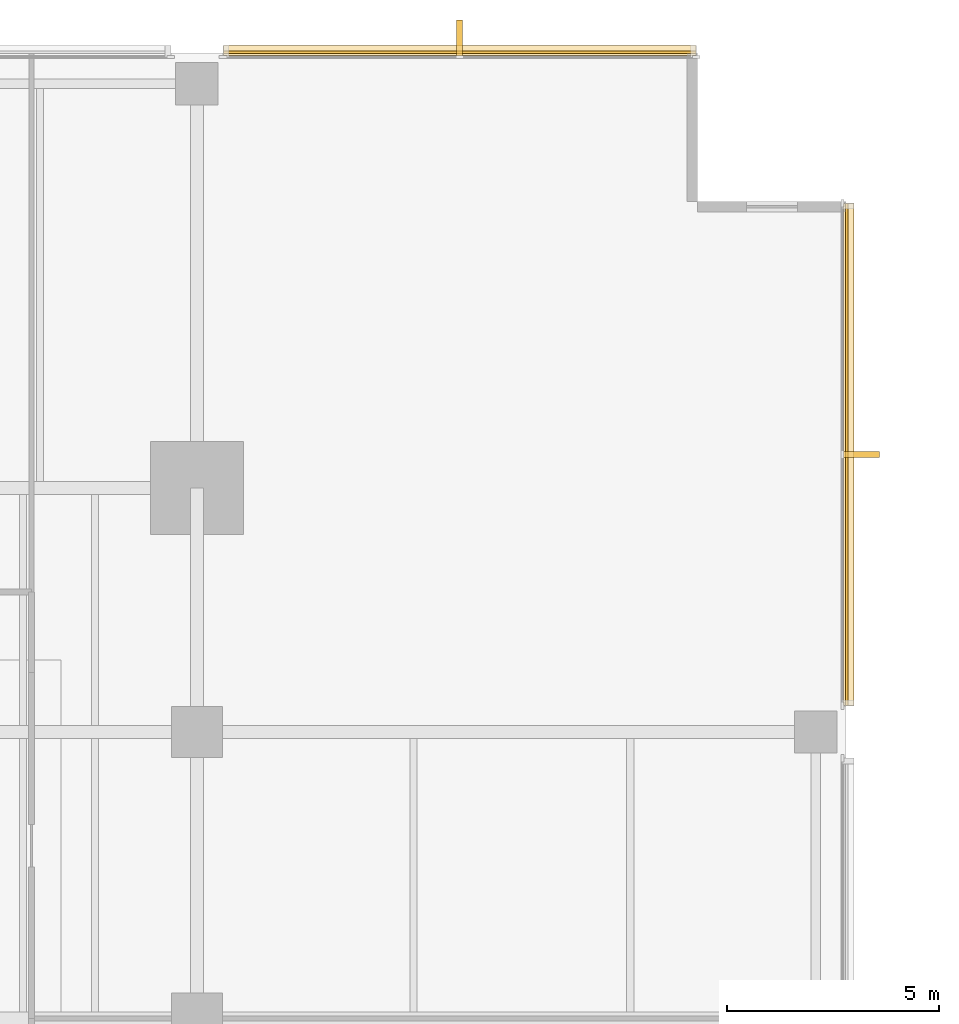
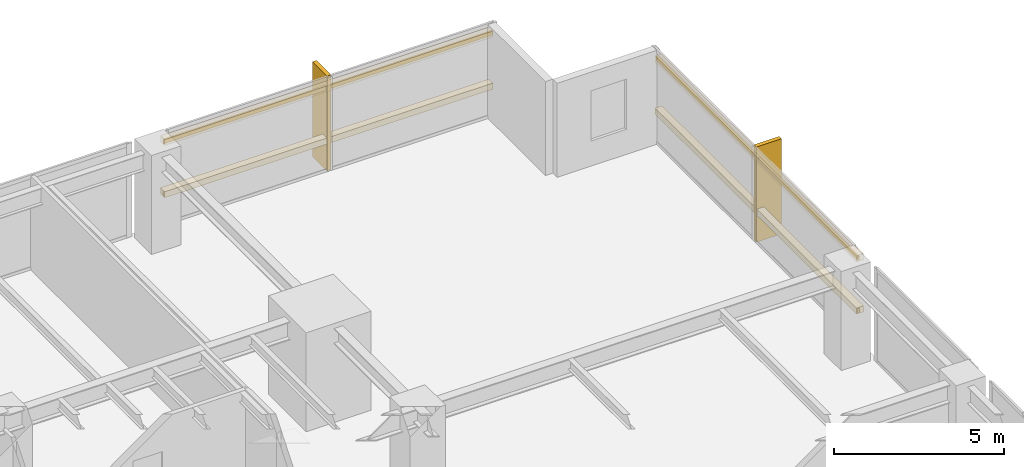
# One storey, part 15 of 15: 6 coverings, 4 shading devices.
"""IFC4 building model written with IfcOpenShell, lengths in metres."""

from ifc_helpers import new_model, si_unit, direction, frame, origin, origin_2d, place, context, subcontext, project, spatial, polyline, rectangle, outline, extrude, material, layer, layer_set, material_profile, profile_set, type_object, element, save


model = new_model("IFC4")

# Units and contexts
model_context = context("Model", 3, precision=1e-05, world=origin(), true_north=direction((0.0, 1.0)))
body_context = subcontext(model_context, "Body", "Model", "MODEL_VIEW")
ifc_project = project(units=[si_unit("LENGTHUNIT", "METRE"), si_unit("AREAUNIT", "SQUARE_METRE"), si_unit("VOLUMEUNIT", "CUBIC_METRE"), si_unit("PLANEANGLEUNIT", "RADIAN"), si_unit("MASSUNIT", "GRAM", prefix="KILO")], contexts=[model_context])

# Site, building, storey
site_placement = place(None, origin())
site = spatial("IfcSite", under=ifc_project, at=site_placement, CompositionType="ELEMENT")
building_placement = place(site_placement, origin())
building = spatial("IfcBuilding", under=site, at=building_placement, Name="Kinhvarn Gate Tower", CompositionType="ELEMENT")
storey_placement = place(building_placement, frame((0.0, 0.0, 36.25)))
storey = spatial("IfcBuildingStorey", under=building, at=storey_placement, Name="L08", CompositionType="ELEMENT", Elevation=36.25)

# Coverings
ifc_material = material(Name="Fired architectural terracotta", Category="masonry")
ifc_layer_1 = layer(ifc_material, 0.239990234375)
ifc_layer_set_1 = layer_set([ifc_layer_1], Name="Fired architectural terracotta")
covering_type_1 = type_object("IfcCoveringType", Name="COV-BAG-220", PredefinedType="CLADDING", material=ifc_layer_set_1)
for number, where, name in (
    (1, (0.0, 0.0, 0.93994140625), "Terracotta Horizontal Sunscreen Band TBG-220 (L08)"),
    (2, (0.0, 0.0, 2.81005859375), "Terracotta Horizontal Sunscreen Band TBG-220 (L08)"),
):
    element("IfcCovering", number, at=place(storey_placement, frame(where)), inside=storey, type_object=covering_type_1, Name=name, PredefinedType="CLADDING", context=body_context, shape_type="SweptSolid", body=[
        extrude(outline(polyline([(49.9599609375, 47.93994140625), (38.820068359375, 47.93994140625), (38.820068359375, 48.179931640625), (49.9599609375, 48.179931640625), (49.9599609375, 47.93994140625)])), origin(), (0.0, 0.0, 1.0), 0.219970703125),
    ])
for number, where, name in (
    (3, (0.0, 0.0, 0.93994140625), "Terracotta Horizontal Sunscreen Band TBG-220 (L08)"),
    (4, (0.0, 0.0, 2.81005859375), "Terracotta Horizontal Sunscreen Band TBG-220 (L08)"),
):
    element("IfcCovering", number, at=place(storey_placement, frame(where)), inside=storey, type_object=covering_type_1, Name=name, PredefinedType="CLADDING", context=body_context, shape_type="SweptSolid", body=[
        extrude(outline(polyline([(53.43994140625, 32.6201171875), (53.43994140625, 44.4599609375), (53.679931640625, 44.4599609375), (53.679931640625, 32.6201171875), (53.43994140625, 32.6201171875)])), origin(), (0.0, 0.0, 1.0), 0.219970703125),
    ])
ifc_layer_2 = layer(ifc_material, 0.139892578125)
ifc_layer_set_2 = layer_set([ifc_layer_2], Name="Fired architectural terracotta")
covering_type_2 = type_object("IfcCoveringType", Name="COV-FIN-850", PredefinedType="CLADDING", material=ifc_layer_set_2)
covering_1_placement = place(storey_placement, frame((0.0, 0.0, -0.02001953125)))
element("IfcCovering", 5, at=covering_1_placement, inside=storey, type_object=covering_type_2, Name="Vertical Terracotta Expressive Fin TFN-850 (L08)", PredefinedType="CLADDING", context=body_context, shape_type="SweptSolid", body=[
    extrude(outline(polyline([(44.4599609375, 47.929931640625), (44.320068359375, 47.929931640625), (44.320068359375, 48.780029296875), (44.4599609375, 48.780029296875), (44.4599609375, 47.929931640625)])), origin(), (0.0, 0.0, 1.0), 3.409912109375),
])
covering_2_placement = place(storey_placement, frame((0.0, 0.0, -0.02001953125)))
element("IfcCovering", 6, at=covering_2_placement, inside=storey, type_object=covering_type_2, Name="Vertical Terracotta Expressive Fin TFN-850 (L08)", PredefinedType="CLADDING", context=body_context, shape_type="SweptSolid", body=[
    extrude(outline(polyline([(53.429931640625, 38.469970703125), (53.429931640625, 38.610107421875), (54.280029296875, 38.610107421875), (54.280029296875, 38.469970703125), (53.429931640625, 38.469970703125)])), origin(), (0.0, 0.0, 1.0), 3.409912109375),
])

# Shading devices
ifc_material_profile = material_profile(ifc_material, rectangle(XDim=0.06005859375, YDim=0.139892578125, at=origin_2d()), Name="TC 60x140")
ifc_profile_set = profile_set([ifc_material_profile], Name="Fired architectural terracotta")
shading_device_type = type_object("IfcShadingDeviceType", Name="SHD-BAG-180", PredefinedType="USERDEFINED", material=ifc_profile_set)
for number, where, z_axis, x_axis, name in (
    (7, (49.9599609375, 48.014892578125, 1.050048828125), (-1.0, 0.0, 0.0), (0.0, -1.0, 0.0), "Fired Terracotta Baguette Screen Rod 60x140 mm (L08)"),
    (8, (49.9599609375, 48.014892578125, 2.919921875), (-1.0, 0.0, 0.0), (0.0, -1.0, 0.0), "Fired Terracotta Baguette Screen Rod 60x140 mm (L08)"),
):
    element("IfcShadingDevice", number, at=place(storey_placement, frame(where, z_axis=z_axis, x_axis=x_axis)), inside=storey, type_object=shading_device_type, Name=name, ObjectType="BAGUETTE", PredefinedType="USERDEFINED", context=body_context, shape_type="SweptSolid", body=[
        extrude(rectangle(XDim=0.06005859375, YDim=0.139892578125, at=origin_2d()), origin(), (0.0, 0.0, 1.0), 11.139892578125),
    ])
for number, where, z_axis, x_axis, name in (
    (9, (53.514892578125, 32.6201171875, 1.050048828125), (0.0, 1.0, 0.0), (-1.0, 0.0, 0.0), "Fired Terracotta Baguette Screen Rod 60x140 mm (L08)"),
    (10, (53.514892578125, 32.6201171875, 2.919921875), (0.0, 1.0, 0.0), (-1.0, 0.0, 0.0), "Fired Terracotta Baguette Screen Rod 60x140 mm (L08)"),
):
    element("IfcShadingDevice", number, at=place(storey_placement, frame(where, z_axis=z_axis, x_axis=x_axis)), inside=storey, type_object=shading_device_type, Name=name, ObjectType="BAGUETTE", PredefinedType="USERDEFINED", context=body_context, shape_type="SweptSolid", body=[
        extrude(rectangle(XDim=0.06005859375, YDim=0.139892578125, at=origin_2d()), origin(), (0.0, 0.0, 1.0), 11.83984375),
    ])

save(model, "model.ifc")
